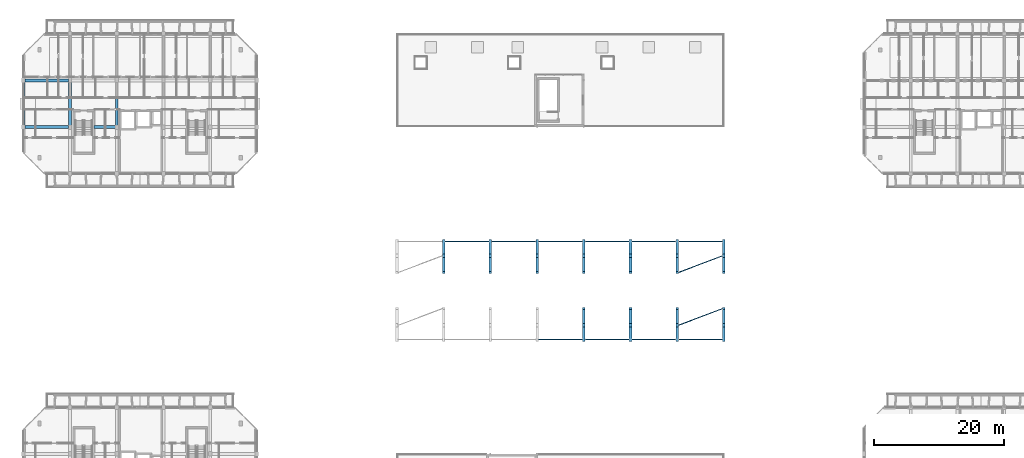
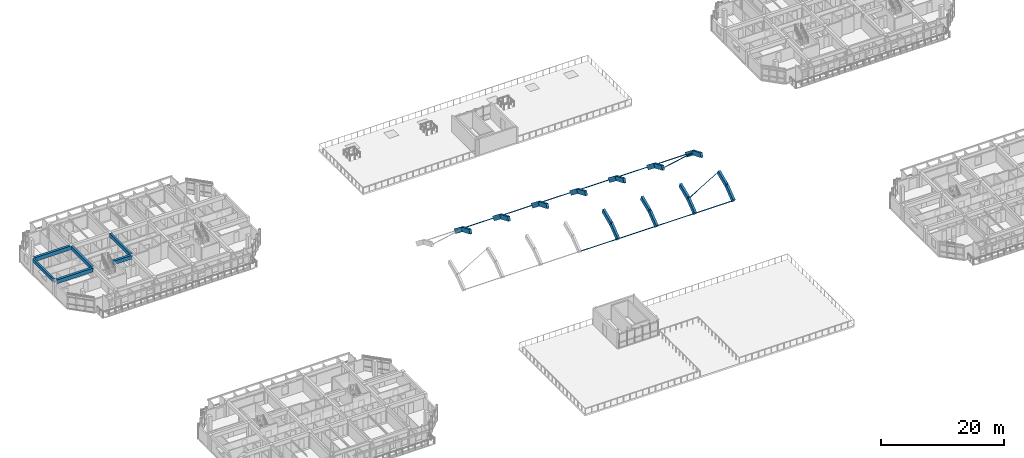
# One storey, part 11 of 64: 28 beams, 12 members.
"""IFC4 building model written with IfcOpenShell, lengths in metres."""

import ifcopenshell
import ifcopenshell.guid

model = None  # the IFC model being written
_history = None  # IfcOwnerHistory: only IFC2X3 demands one
_inside = {}  # id of a spatial element -> (the spatial element, [elements in it])
_under = {}  # id of a project, library or spatial element -> (it, [spatial elements below it])
_declared = {}  # id of a project -> (the project, [libraries it declares])
_typed = {}  # id of a type object -> (the type object, [elements of that type])
_made_of = {}  # id of a material, layer set ... -> (it, [elements and type objects made of it])


def new_model(schema):
    """Start an empty IFC model of exactly this schema.

    Asked for "IFC4X3", IfcOpenShell would pick the latest addendum, in which some entities
    have other attributes; the version numbers below select the first issue.
    IFC2X3 requires an IfcOwnerHistory on every rooted entity: one is made here for all.
    """
    global model, _history
    if schema == "IFC4X3":
        model = ifcopenshell.file(schema_version=(4, 3, 0, 0))
    else:
        model = ifcopenshell.file(schema=schema)
    _inside.clear()
    _under.clear()
    _declared.clear()
    _typed.clear()
    _made_of.clear()
    _history = None
    if model.schema == "IFC2X3":
        org = make("IfcOrganization", Name="unknown")
        user = make(
            "IfcPersonAndOrganization",
            ThePerson=make("IfcPerson", FamilyName="unknown"),
            TheOrganization=org,
        )
        app = make(
            "IfcApplication",
            ApplicationDeveloper=org,
            Version="unknown",
            ApplicationFullName="unknown",
            ApplicationIdentifier="unknown",
        )
        _history = make(
            "IfcOwnerHistory",
            OwningUser=user,
            OwningApplication=app,
            ChangeAction="ADDED",
            CreationDate=0,
        )
    return model


def make(cls, **values):
    """One entity of the class cls with the attributes given. An attribute that is None is left unset."""
    return model.create_entity(
        cls, **{name: value for name, value in values.items() if value is not None}
    )


def rooted(cls, **values):
    """An entity with a GlobalId (a new one), such as an element, a storey or a relation."""
    return make(cls, GlobalId=ifcopenshell.guid.new(), OwnerHistory=_history, **values)


def si_unit(unit_type, name, prefix=None):
    """IfcSIUnit, for example si_unit("LENGTHUNIT", "METRE", prefix="MILLI")."""
    return make("IfcSIUnit", UnitType=unit_type, Prefix=prefix, Name=name)


def assignment(units):
    """IfcUnitAssignment: the units of a project."""
    return None if units is None else make("IfcUnitAssignment", Units=units)


def point(xyz):
    """IfcCartesianPoint."""
    return None if xyz is None else make("IfcCartesianPoint", Coordinates=xyz)


def direction(xyz):
    """IfcDirection."""
    return None if xyz is None else make("IfcDirection", DirectionRatios=xyz)


def frame(location, z_axis=None, x_axis=None):
    """IfcAxis2Placement3D, a coordinate frame: its origin and axes. An axis left out is left unset."""
    return make(
        "IfcAxis2Placement3D",
        Location=point(location),
        Axis=direction(z_axis),
        RefDirection=direction(x_axis),
    )


def frame_2d(location, x_axis=None):
    """IfcAxis2Placement2D, a coordinate frame in the plane: its origin and x axis."""
    return make(
        "IfcAxis2Placement2D", Location=point(location), RefDirection=direction(x_axis)
    )


def origin():
    """The frame at (0, 0, 0) with its axes left unset."""
    return frame((0.0, 0.0, 0.0))


def origin_2d():
    """The frame at (0, 0) in the plane with its x axis left unset."""
    return frame_2d((0.0, 0.0))


def place(relative_to, where):
    """IfcLocalPlacement: puts the frame where relative to a parent placement (None: the world)."""
    return make(
        "IfcLocalPlacement", PlacementRelTo=relative_to, RelativePlacement=where
    )


def context(
    kind, dimensions, precision=None, world=None, true_north=None, identifier=None
):
    """IfcGeometricRepresentationContext, for example the 3D "Model" context."""
    return make(
        "IfcGeometricRepresentationContext",
        ContextIdentifier=identifier,
        ContextType=kind,
        CoordinateSpaceDimension=dimensions,
        Precision=precision,
        WorldCoordinateSystem=world,
        TrueNorth=true_north,
    )


def subcontext(parent, identifier, kind, view, scale=None):
    """IfcGeometricRepresentationSubContext, for example "Body" below "Model"."""
    return make(
        "IfcGeometricRepresentationSubContext",
        ContextIdentifier=identifier,
        ContextType=kind,
        ParentContext=parent,
        TargetScale=scale,
        TargetView=view,
    )


def project(units=None, contexts=None):
    """IfcProject with its units and contexts."""
    return rooted(
        "IfcProject",
        Name="project",
        RepresentationContexts=contexts,
        UnitsInContext=assignment(units),
    )


def spatial(cls, under=None, at=None, **own):
    """A site, building, storey or space (cls), placed at a placement, below another one or the project."""
    s = rooted(cls, ObjectPlacement=at, **own)
    if under is not None:
        _under.setdefault(under.id(), (under, []))[1].append(s)
    return s


def profile(cls, at=None, kind="AREA", **sizes):
    """A parametric profile (cls). Its sizes go by their IFC names, for example OverallWidth=200.0."""
    return make(cls, ProfileType=kind, Position=at, **sizes)


def rectangle(**sizes):
    """IfcRectangleProfileDef."""
    return profile("IfcRectangleProfileDef", **sizes)


def hollow_rectangle(**sizes):
    """IfcRectangleHollowProfileDef."""
    return profile("IfcRectangleHollowProfileDef", **sizes)


def hollow_circle(**sizes):
    """IfcCircleHollowProfileDef."""
    return profile("IfcCircleHollowProfileDef", **sizes)


def extrude(swept, where, along, depth):
    """IfcExtrudedAreaSolid: the profile swept, set in the frame where, extruded along a direction by depth."""
    return make(
        "IfcExtrudedAreaSolid",
        SweptArea=swept,
        Position=where,
        ExtrudedDirection=direction(along),
        Depth=depth,
    )


def shape(context_of_items, identifier, shape_type, items):
    """IfcShapeRepresentation: the items that make up one representation, for example the "Body"."""
    return make(
        "IfcShapeRepresentation",
        ContextOfItems=context_of_items,
        RepresentationIdentifier=identifier,
        RepresentationType=shape_type,
        Items=items,
    )


def material(Name=None, Category=None):
    """IfcMaterial."""
    return make("IfcMaterial", Name=Name, Category=Category)


def material_profile(
    of_material, cross_section, Name=None, Category=None, Priority=None
):
    """IfcMaterialProfile: a cross section and its material."""
    return make(
        "IfcMaterialProfile",
        Name=Name,
        Material=of_material,
        Profile=cross_section,
        Priority=Priority,
        Category=Category,
    )


def profile_set(profiles, Name=None, composite=None):
    """IfcMaterialProfileSet."""
    return make(
        "IfcMaterialProfileSet",
        Name=Name,
        MaterialProfiles=profiles,
        CompositeProfile=composite,
    )


def made_of(thing, what):
    """Note that an element or type object is made of a material, layer set ...; save() writes the relation."""
    if what is not None:
        _made_of.setdefault(what.id(), (what, []))[1].append(thing)
    return thing


def type_object(cls, material=None, **own):
    """A type object (cls), such as IfcWallType, which elements share."""
    return made_of(rooted(cls, **own), material)


def element(
    cls,
    number,
    at=None,
    inside=None,
    cuts=None,
    type_object=None,
    material=None,
    context=None,
    identifier="Body",
    shape_type=None,
    held_by="IfcProductDefinitionShape",
    body=None,
    shapes=None,
    **own,
):
    """One element of the class cls, such as IfcWall. Its Tag is "e" and its number.

    at: its placement. inside: the storey or other place that contains it. cuts: it is an
    opening in that element (IfcRelVoidsElement). A single representation is given by context,
    identifier, shape_type and body (its items); several are given by shapes. held_by: the class
    of the entity that holds the representations. save() writes the other relations.
    """
    e = rooted(cls, Tag="e%d" % number, ObjectPlacement=at, **own)
    if body is not None:
        shapes = [shape(context, identifier, shape_type, body)]
    if shapes is not None:
        e.Representation = make(held_by, Representations=shapes)
    if inside is not None:
        _inside.setdefault(inside.id(), (inside, []))[1].append(e)
    if cuts is not None:
        rooted(
            "IfcRelVoidsElement", RelatingBuildingElement=cuts, RelatedOpeningElement=e
        )
    if type_object is not None:
        _typed.setdefault(type_object.id(), (type_object, []))[1].append(e)
    return made_of(e, material)


def aggregate(whole, parts):
    """IfcRelAggregates: a whole, such as a stair, and the parts it consists of."""
    return rooted("IfcRelAggregates", RelatingObject=whole, RelatedObjects=parts)


def save(model, path):
    """Write the relations noted so far, then the file.

    IfcRelAggregates (storeys below a building ...), IfcRelContainedInSpatialStructure (elements
    in a storey), IfcRelDefinesByType, IfcRelAssociatesMaterial and IfcRelDeclares: one each for
    every whole, place, type object, material and project.
    """
    for whole, parts in _under.values():
        aggregate(whole, parts)
    for where, things in _inside.values():
        rooted(
            "IfcRelContainedInSpatialStructure",
            RelatedElements=things,
            RelatingStructure=where,
        )
    for kind, things in _typed.values():
        rooted("IfcRelDefinesByType", RelatedObjects=things, RelatingType=kind)
    for what, things in _made_of.values():
        rooted("IfcRelAssociatesMaterial", RelatedObjects=things, RelatingMaterial=what)
    for by, libraries in _declared.values():
        rooted("IfcRelDeclares", RelatingContext=by, RelatedDefinitions=libraries)
    model.write(path)


model = new_model("IFC4")

# Units and contexts
model_context = context("Model", 3, precision=1e-05, world=origin(), true_north=direction((0.0, 1.0)))
body_context = subcontext(model_context, "Body", "Model", "MODEL_VIEW")
ifc_project = project(units=[si_unit("LENGTHUNIT", "METRE"), si_unit("AREAUNIT", "SQUARE_METRE"), si_unit("VOLUMEUNIT", "CUBIC_METRE"), si_unit("PLANEANGLEUNIT", "RADIAN"), si_unit("MASSUNIT", "GRAM", prefix="KILO")], contexts=[model_context])

# Site, building, storey
site_placement = place(None, origin())
site = spatial("IfcSite", under=ifc_project, at=site_placement, CompositionType="ELEMENT")
building_placement = place(site_placement, origin())
building = spatial("IfcBuilding", under=site, at=building_placement, Name="Ochrevale Crest", CompositionType="ELEMENT")
storey_placement = place(building_placement, frame((0.0, 0.0, 8.699951171875)))
storey = spatial("IfcBuildingStorey", under=building, at=storey_placement, Name="L02", CompositionType="ELEMENT", Elevation=8.699951171875)

# Beams
ifc_material_1 = material(Name="Precast concrete C50/60", Category="concrete")
ifc_material_profile_1 = material_profile(ifc_material_1, rectangle(XDim=0.39990234375, YDim=0.85009765625, at=origin_2d()), Name="PC 400x850")
ifc_profile_set_1 = profile_set([ifc_material_profile_1], Name="Precast concrete C50/60")
beam_type_1 = type_object("IfcBeamType", Name="BM-AR400x850", PredefinedType="BEAM", material=ifc_profile_set_1)
for number, where, z_axis, x_axis, name in (
    (1, (64.800048828125, 56.777587890625, 3.61572265625), (0.0, 0.922358689009, -0.386334633201), (-1.0, 0.0, 0.0), "Precast vault arch rib AR-02 chord 7"),
    (2, (64.800048828125, 59.362060546875, 2.533203125), (0.0, 0.789347525519, -0.613946645856), (-1.0, 0.0, 0.0), "Precast vault arch rib AR-02 chord 8"),
    (3, (72.0, 56.777587890625, 3.61572265625), (0.0, 0.922358689009, -0.386334633201), (-1.0, 0.0, 0.0), "Precast vault arch rib AR-03 chord 7"),
    (4, (72.0, 59.362060546875, 2.533203125), (0.0, 0.789347525519, -0.613946645856), (-1.0, 0.0, 0.0), "Precast vault arch rib AR-03 chord 8"),
    (5, (79.199951171875, 56.777587890625, 3.61572265625), (0.0, 0.922358689009, -0.386334633201), (-1.0, 0.0, 0.0), "Precast vault arch rib AR-04 chord 7"),
    (6, (79.199951171875, 59.362060546875, 2.533203125), (0.0, 0.789347525519, -0.613946645856), (-1.0, 0.0, 0.0), "Precast vault arch rib AR-04 chord 8"),
    (7, (86.39990234375, 46.42626953125, 0.81298828125), (0.0, 0.789347525519, 0.613946645856), (-1.0, 0.0, 0.0), "Precast vault arch rib AR-05 chord 3"),
    (8, (86.39990234375, 48.637939453125, 2.533203125), (0.0, 0.922358689009, 0.386334633201), (-1.0, 0.0, 0.0), "Precast vault arch rib AR-05 chord 4"),
    (9, (86.39990234375, 56.777587890625, 3.61572265625), (0.0, 0.922358689009, -0.386334633201), (-1.0, 0.0, 0.0), "Precast vault arch rib AR-05 chord 7"),
    (10, (86.39990234375, 59.362060546875, 2.533203125), (0.0, 0.789347525519, -0.613946645856), (-1.0, 0.0, 0.0), "Precast vault arch rib AR-05 chord 8"),
    (11, (93.60009765625, 46.42626953125, 0.81298828125), (0.0, 0.789347525519, 0.613946645856), (-1.0, 0.0, 0.0), "Precast vault arch rib AR-06 chord 3"),
    (12, (93.60009765625, 48.637939453125, 2.533203125), (0.0, 0.922358689009, 0.386334633201), (-1.0, 0.0, 0.0), "Precast vault arch rib AR-06 chord 4"),
    (13, (93.60009765625, 56.777587890625, 3.61572265625), (0.0, 0.922358689009, -0.386334633201), (-1.0, 0.0, 0.0), "Precast vault arch rib AR-06 chord 7"),
    (14, (93.60009765625, 59.362060546875, 2.533203125), (0.0, 0.789347525519, -0.613946645856), (-1.0, 0.0, 0.0), "Precast vault arch rib AR-06 chord 8"),
    (15, (100.800048828125, 46.42626953125, 0.81298828125), (0.0, 0.789347525519, 0.613946645856), (-1.0, 0.0, 0.0), "Precast vault arch rib AR-07 chord 3"),
    (16, (100.800048828125, 48.637939453125, 2.533203125), (0.0, 0.922358689009, 0.386334633201), (-1.0, 0.0, 0.0), "Precast vault arch rib AR-07 chord 4"),
    (17, (100.800048828125, 56.777587890625, 3.61572265625), (0.0, 0.922358689009, -0.386334633201), (-1.0, 0.0, 0.0), "Precast vault arch rib AR-07 chord 7"),
    (18, (100.800048828125, 59.362060546875, 2.533203125), (0.0, 0.789347525519, -0.613946645856), (-1.0, 0.0, 0.0), "Precast vault arch rib AR-07 chord 8"),
    (19, (108.0, 46.42626953125, 0.81298828125), (0.0, 0.789347525519, 0.613946645856), (-1.0, 0.0, 0.0), "Precast vault arch rib AR-08 chord 3"),
    (20, (108.0, 48.637939453125, 2.533203125), (0.0, 0.922358689009, 0.386334633201), (-1.0, 0.0, 0.0), "Precast vault arch rib AR-08 chord 4"),
    (21, (108.0, 56.777587890625, 3.61572265625), (0.0, 0.922358689009, -0.386334633201), (-1.0, 0.0, 0.0), "Precast vault arch rib AR-08 chord 7"),
    (22, (108.0, 59.362060546875, 2.533203125), (0.0, 0.789347525519, -0.613946645856), (-1.0, 0.0, 0.0), "Precast vault arch rib AR-08 chord 8"),
):
    element("IfcBeam", number, at=place(storey_placement, frame(where, z_axis=z_axis, x_axis=x_axis)), inside=storey, type_object=beam_type_1, Name=name, PredefinedType="BEAM", context=body_context, shape_type="SweptSolid", body=[
        extrude(rectangle(XDim=0.39990234375, YDim=0.85009765625, at=origin_2d()), origin(), (0.0, 0.0, 1.0), 2.802001953125),
    ])
ifc_material_profile_2 = material_profile(ifc_material_1, rectangle(XDim=0.39990234375, YDim=0.699951171875, at=origin_2d()), Name="PC 400x700")
ifc_profile_set_2 = profile_set([ifc_material_profile_2], Name="Precast concrete C50/60")
beam_type_2 = type_object("IfcBeamType", Name="BM-PC400x700", PredefinedType="BEAM", material=ifc_profile_set_2)
for number, where, z_axis, x_axis, name in (
    (23, (7.199951171875, 79.429931640625, 2.800048828125), (0.0, 1.0, 0.0), (-1.0, 0.0, 0.0), "Block B L02 N-S beam X=7.2"),
    (24, (14.39990234375, 79.429931640625, 2.800048828125), (0.0, 1.0, 0.0), (-1.0, 0.0, 0.0), "Block B L02 N-S beam X=14.4"),
):
    element("IfcBeam", number, at=place(storey_placement, frame(where, z_axis=z_axis, x_axis=x_axis)), inside=storey, type_object=beam_type_2, Name=name, PredefinedType="BEAM", context=body_context, shape_type="SweptSolid", body=[
        extrude(rectangle(XDim=0.39990234375, YDim=0.699951171875, at=origin_2d()), origin(), (0.0, 0.0, 1.0), 6.739990234375),
    ])
ifc_material_2 = material(Name="Concrete C50/60", Category="concrete")
ifc_material_profile_3 = material_profile(ifc_material_2, rectangle(XDim=0.449951171875, YDim=0.75, at=origin_2d()), Name="RC 450x750")
ifc_profile_set_3 = profile_set([ifc_material_profile_3], Name="Concrete C50/60")
beam_type_3 = type_object("IfcBeamType", Name="BM-PG450x750", PredefinedType="USERDEFINED", material=ifc_profile_set_3)
beam_1_placement = place(storey_placement, frame((0.22509765625, 79.199951171875, 2.775146484375), z_axis=(1.0, 0.0, 0.0), x_axis=(0.0, 1.0, 0.0)))
element("IfcBeam", 25, at=beam_1_placement, inside=storey, type_object=beam_type_3, Name="Block B L02 E-W beam Y=79.2", ObjectType="GIRDER", PredefinedType="USERDEFINED", context=body_context, shape_type="SweptSolid", body=[
    extrude(rectangle(XDim=0.449951171875, YDim=0.75, at=origin_2d()), origin(), (0.0, 0.0, 1.0), 6.75),
])
beam_2_placement = place(storey_placement, frame((10.889892578125, 79.199951171875, 2.775146484375), z_axis=(1.0, 0.0, 0.0), x_axis=(0.0, 1.0, 0.0)))
element("IfcBeam", 26, at=beam_2_placement, inside=storey, type_object=beam_type_3, Name="Block B L02 E-W beam Y=79.2", ObjectType="GIRDER", PredefinedType="USERDEFINED", context=body_context, shape_type="SweptSolid", body=[
    extrude(rectangle(XDim=0.449951171875, YDim=0.75, at=origin_2d()), origin(), (0.0, 0.0, 1.0), 3.28515625),
])
beam_3_placement = place(storey_placement, frame((0.22509765625, 86.39990234375, 2.775146484375), z_axis=(1.0, 0.0, 0.0), x_axis=(0.0, 1.0, 0.0)))
element("IfcBeam", 27, at=beam_3_placement, inside=storey, type_object=beam_type_3, Name="Block B L02 E-W beam Y=86.4", ObjectType="GIRDER", PredefinedType="USERDEFINED", context=body_context, shape_type="SweptSolid", body=[
    extrude(rectangle(XDim=0.449951171875, YDim=0.75, at=origin_2d()), origin(), (0.0, 0.0, 1.0), 6.75),
])
ifc_material_3 = material(Name="Precast concrete C40/50", Category="concrete")
ifc_material_profile_4 = material_profile(ifc_material_3, rectangle(XDim=0.300048828125, YDim=0.60009765625, at=origin_2d()), Name="PC 300x600")
ifc_profile_set_4 = profile_set([ifc_material_profile_4], Name="Precast concrete C40/50")
beam_type_4 = type_object("IfcBeamType", Name="BM-SP300x600", PredefinedType="SPANDREL", material=ifc_profile_set_4)
beam_4_placement = place(storey_placement, frame((0.0, 79.429931640625, 2.85009765625), z_axis=(0.0, 1.0, 0.0), x_axis=(-1.0, 0.0, 0.0)))
element("IfcBeam", 28, at=beam_4_placement, inside=storey, type_object=beam_type_4, Name="Block B L02 N-S beam X=0.0", PredefinedType="SPANDREL", context=body_context, shape_type="SweptSolid", body=[
    extrude(rectangle(XDim=0.300048828125, YDim=0.60009765625, at=origin_2d()), origin(), (0.0, 0.0, 1.0), 6.739990234375),
])

# Members
ifc_material_4 = material(Name="Steel S355", Category="steel")
ifc_material_profile_5 = material_profile(ifc_material_4, hollow_circle(Radius=0.04443359375, WallThickness=0.005615234375, at=origin_2d()), Name="88.9x5.5CHS")
ifc_profile_set_5 = profile_set([ifc_material_profile_5], Name="Steel S355")
member_type_1 = type_object("IfcMemberType", Name="MEM-CHS89-BR", PredefinedType="BRACE", material=ifc_profile_set_5)
for number, where, z_axis, x_axis, name in (
    (29, (101.0, 48.637939453125, 2.533203125), (0.924582066152, 0.351402927953, 0.147186905587), (-0.355272306226, 0.934762851438, 0.0), "Community Hall vault CHS lateral brace B7-3"),
    (30, (101.0, 56.777587890625, 3.61572265625), (0.924582066152, 0.351402927953, -0.147186905587), (-0.355272306226, 0.934762851438, 0.0), "Community Hall vault CHS lateral brace B7-6"),
):
    element("IfcMember", number, at=place(storey_placement, frame(where, z_axis=z_axis, x_axis=x_axis)), inside=storey, type_object=member_type_1, Name=name, PredefinedType="BRACE", context=body_context, shape_type="SweptSolid", body=[
        extrude(hollow_circle(Radius=0.04443359375, WallThickness=0.005615234375, at=origin_2d()), origin(), (0.0, 0.0, 1.0), 7.354736328125),
    ])
ifc_material_profile_6 = material_profile(ifc_material_4, hollow_rectangle(XDim=0.10009765625, YDim=0.14990234375, WallThickness=0.0048828125, InnerFilletRadius=0.0048828125, OuterFilletRadius=0.010009765625, at=origin_2d()), Name="150x100x5.0RHS")
ifc_profile_set_6 = profile_set([ifc_material_profile_6], Name="Steel S355")
member_type_2 = type_object("IfcMemberType", Name="MEM-RHS150-PR", PredefinedType="PURLIN", material=ifc_profile_set_6)
for number, where, z_axis, x_axis, name in (
    (31, (65.0, 61.57373046875, 0.89306640625), (1.0, 0.0, 0.0), (0.0, 1.0, 0.0), "Vault longitudinal steel purlin B2-8"),
    (32, (72.199951171875, 61.57373046875, 0.89306640625), (1.0, 0.0, 0.0), (0.0, 1.0, 0.0), "Vault longitudinal steel purlin B3-8"),
    (33, (79.39990234375, 46.42626953125, 0.89306640625), (1.0, 0.0, 0.0), (0.0, 1.0, 0.0), "Vault longitudinal steel purlin B4-2"),
    (34, (79.39990234375, 61.57373046875, 0.89306640625), (1.0, 0.0, 0.0), (0.0, 1.0, 0.0), "Vault longitudinal steel purlin B4-8"),
):
    element("IfcMember", number, at=place(storey_placement, frame(where, z_axis=z_axis, x_axis=x_axis)), inside=storey, type_object=member_type_2, Name=name, PredefinedType="PURLIN", context=body_context, shape_type="SweptSolid", body=[
        extrude(hollow_rectangle(XDim=0.10009765625, YDim=0.14990234375, WallThickness=0.0048828125, InnerFilletRadius=0.0048828125, OuterFilletRadius=0.010009765625, at=origin_2d()), origin(), (0.0, 0.0, 1.0), 6.800048828125),
    ])
for number, where, z_axis, x_axis, name in (
    (35, (86.60009765625, 46.42626953125, 0.89306640625), (1.0, 0.0, 0.0), (0.0, 1.0, 0.0), "Vault longitudinal steel purlin B5-2"),
    (36, (86.60009765625, 61.57373046875, 0.89306640625), (1.0, 0.0, 0.0), (0.0, 1.0, 0.0), "Vault longitudinal steel purlin B5-8"),
):
    element("IfcMember", number, at=place(storey_placement, frame(where, z_axis=z_axis, x_axis=x_axis)), inside=storey, type_object=member_type_2, Name=name, PredefinedType="PURLIN", context=body_context, shape_type="SweptSolid", body=[
        extrude(hollow_rectangle(XDim=0.10009765625, YDim=0.14990234375, WallThickness=0.0048828125, InnerFilletRadius=0.0048828125, OuterFilletRadius=0.010009765625, at=origin_2d()), origin(), (0.0, 0.0, 1.0), 6.7998046875),
    ])
for number, where, z_axis, x_axis, name in (
    (37, (93.800048828125, 46.42626953125, 0.89306640625), (1.0, 0.0, 0.0), (0.0, 1.0, 0.0), "Vault longitudinal steel purlin B6-2"),
    (38, (93.800048828125, 61.57373046875, 0.89306640625), (1.0, 0.0, 0.0), (0.0, 1.0, 0.0), "Vault longitudinal steel purlin B6-8"),
    (39, (101.0, 46.42626953125, 0.89306640625), (1.0, 0.0, 0.0), (0.0, 1.0, 0.0), "Vault longitudinal steel purlin B7-2"),
    (40, (101.0, 61.57373046875, 0.89306640625), (1.0, 0.0, 0.0), (0.0, 1.0, 0.0), "Vault longitudinal steel purlin B7-8"),
):
    element("IfcMember", number, at=place(storey_placement, frame(where, z_axis=z_axis, x_axis=x_axis)), inside=storey, type_object=member_type_2, Name=name, PredefinedType="PURLIN", context=body_context, shape_type="SweptSolid", body=[
        extrude(hollow_rectangle(XDim=0.10009765625, YDim=0.14990234375, WallThickness=0.0048828125, InnerFilletRadius=0.0048828125, OuterFilletRadius=0.010009765625, at=origin_2d()), origin(), (0.0, 0.0, 1.0), 6.800048828125),
    ])

save(model, "model.ifc")
